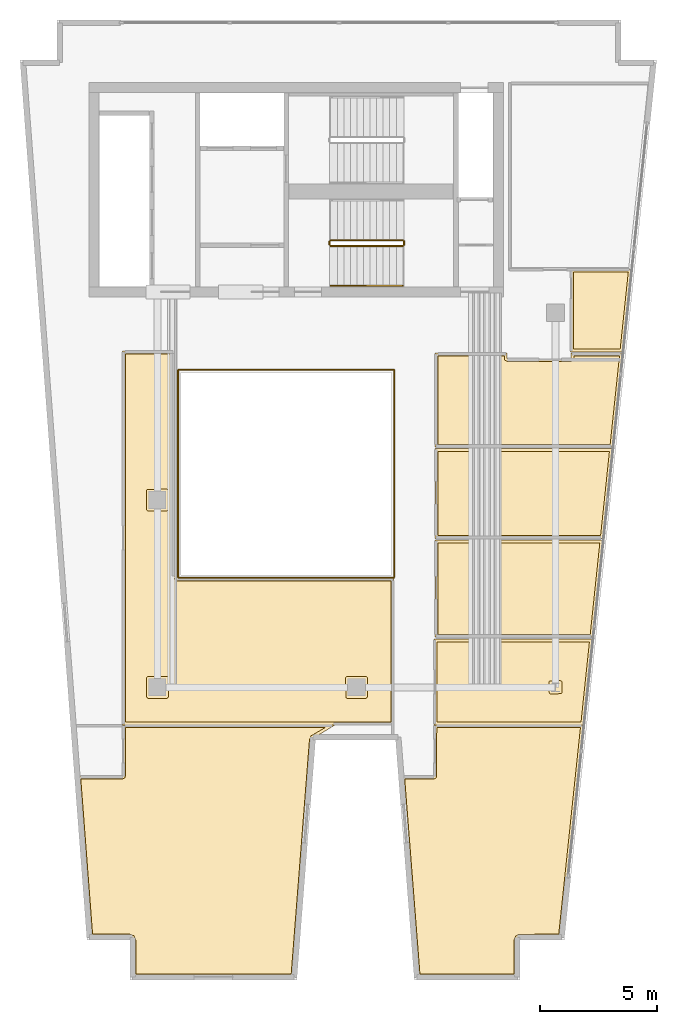
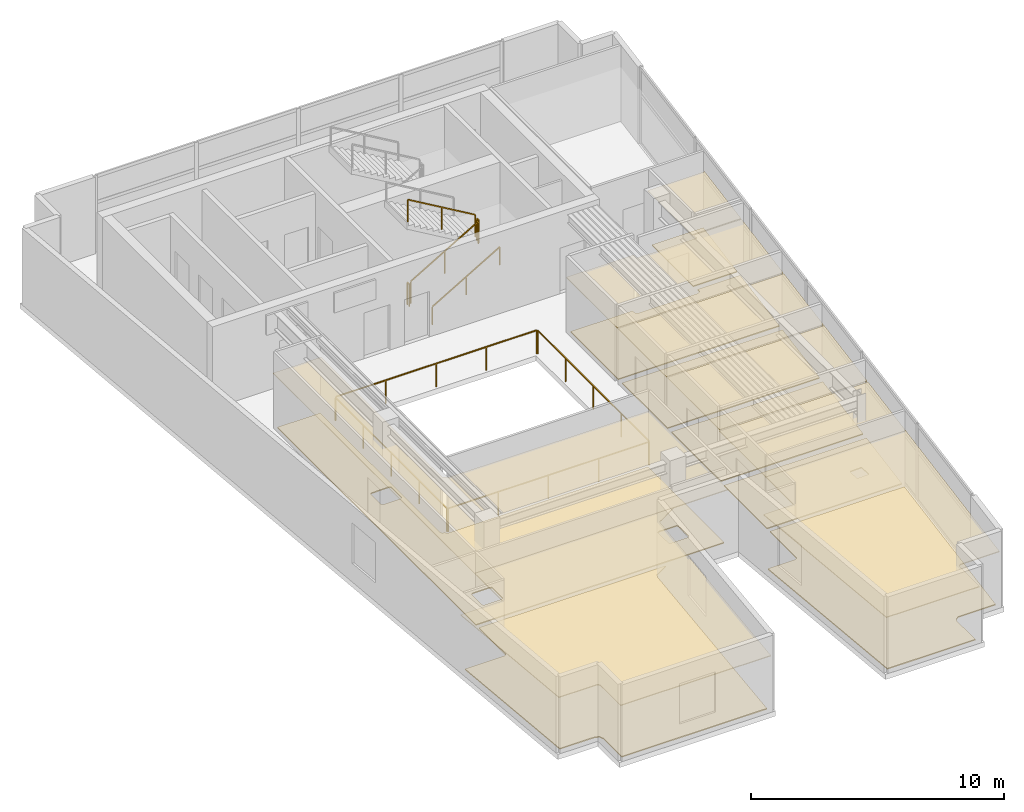
# One storey, part 5 of 6: 16 coverings, 9 railings.
"""IFC4 building model written with IfcOpenShell, lengths in metres."""

from ifc_helpers import new_model, si_unit, direction, frame, origin, origin_2d, place, context, subcontext, project, spatial, polyline, rectangle, outline, extrude, material, layer, layer_set, type_object, element, save


model = new_model("IFC4")

# Units and contexts
model_context = context("Model", 3, precision=1e-05, world=origin(), true_north=direction((0.0, 1.0)))
body_context = subcontext(model_context, "Body", "Model", "MODEL_VIEW")
ifc_project = project(units=[si_unit("LENGTHUNIT", "METRE"), si_unit("AREAUNIT", "SQUARE_METRE"), si_unit("VOLUMEUNIT", "CUBIC_METRE"), si_unit("PLANEANGLEUNIT", "RADIAN"), si_unit("MASSUNIT", "GRAM", prefix="KILO")], contexts=[model_context])

# Site, building, storey
site_placement = place(None, origin())
site = spatial("IfcSite", under=ifc_project, at=site_placement, CompositionType="ELEMENT")
building_placement = place(site_placement, origin())
building = spatial("IfcBuilding", under=site, at=building_placement, Name="Caeloran Harvest Quay", CompositionType="ELEMENT")
storey_placement = place(building_placement, frame((0.0, 0.0, 284.35009765625)))
storey = spatial("IfcBuildingStorey", under=building, at=storey_placement, Name="L68", CompositionType="ELEMENT", Elevation=284.35009765625)

# Coverings
ifc_material_1 = material(Name="Perforated Mineral-Fibre Acoustic Ceiling Tile", Category="ceiling")
ifc_layer_1 = layer(ifc_material_1, 0.0400390625, Name="Perforated Mineral-Fibre Acoustic Ceiling Tile")
ifc_layer_set_1 = layer_set([ifc_layer_1], Name="Perforated Mineral-Fibre Acoustic Ceiling Tile")
covering_type_1 = type_object("IfcCoveringType", Name="COV-CEILING-ACOUSTIC", PredefinedType="CEILING", material=ifc_layer_set_1)
covering_1_placement = place(storey_placement, frame((0.0, 0.0, 2.599853515625)))
element("IfcCovering", 1, at=covering_1_placement, inside=storey, type_object=covering_type_1, Name="L68 Male Washroom WC Acoustic Ceiling", PredefinedType="CEILING", context=body_context, shape_type="SweptSolid", body=[
    extrude(outline(polyline([(23.429931640625, 29.280029296875), (23.43017578125, 29.048095703125), (23.450927734375, 29.030029296875), (26.152099609375, 29.030029296875), (26.169921875, 29.048095703125), (26.169921875, 29.280029296875), (28.365478515625, 29.280029296875), (27.943359375, 25.260009765625), (20.360107421875, 25.260009765625), (20.360107421875, 29.280029296875), (23.429931640625, 29.280029296875)])), origin(), (0.0, 0.0, 1.0), 0.0400390625),
])
covering_2_placement = place(storey_placement, frame((0.0, 0.0, 2.599853515625)))
element("IfcCovering", 2, at=covering_2_placement, inside=storey, type_object=covering_type_1, Name="L68 Female Washroom WC Acoustic Ceiling", PredefinedType="CEILING", context=body_context, shape_type="SweptSolid", body=[
    extrude(outline(polyline([(27.93603515625, 25.18994140625), (27.53369140625, 21.360107421875), (20.360107421875, 21.360107421875), (20.360107421875, 25.18994140625), (27.93603515625, 25.18994140625)])), origin(), (0.0, 0.0, 1.0), 0.0400390625),
])
covering_3_placement = place(storey_placement, frame((0.0, 0.0, 2.599853515625)))
element("IfcCovering", 3, at=covering_3_placement, inside=storey, type_object=covering_type_1, Name="L68 Accessible Unisex Washroom WC Acoustic Ceiling", PredefinedType="CEILING", context=body_context, shape_type="SweptSolid", body=[
    extrude(outline(polyline([(27.5263671875, 21.2900390625), (27.090576171875, 17.139892578125), (20.360107421875, 17.139892578125), (20.360107421875, 21.2900390625), (27.5263671875, 21.2900390625)])), origin(), (0.0, 0.0, 1.0), 0.0400390625),
])
covering_4_placement = place(storey_placement, frame((0.0, 0.0, 2.599853515625)))
element("IfcCovering", 4, at=covering_4_placement, inside=storey, type_object=covering_type_1, Name="Executive Sky-Floor Office Acoustic Ceiling", PredefinedType="CEILING", context=body_context, shape_type="SweptSolid", body=[
    extrude(outline(polyline([(7.010009765625, 11.2099609375), (7.010009765625, 13.39990234375), (16.09521484375, 13.39990234375), (15.251708984375, 12.889892578125), (15.1728515625, 12.86572265625), (15.134033203125, 12.826171875), (15.11376953125, 12.774658203125), (14.322021484375, 2.639892578125), (7.45849609375, 2.639892578125), (7.45849609375, 4.198974609375), (7.44775390625, 4.253662109375), (7.41748046875, 4.299072265625), (7.3720703125, 4.329345703125), (7.3173828125, 4.340087890625), (5.618896484375, 4.340087890625), (5.096435546875, 11.2099609375), (7.010009765625, 11.2099609375)])), origin(), (0.0, 0.0, 1.0), 0.0400390625),
])
covering_5_placement = place(storey_placement, frame((0.0, 0.0, 2.599853515625)))
element("IfcCovering", 5, at=covering_5_placement, inside=storey, type_object=covering_type_1, Name="Strategic Foresight Laboratory Acoustic Ceiling", PredefinedType="CEILING", context=body_context, shape_type="SweptSolid", body=[
    extrude(outline(polyline([(20.31005859375, 11.2099609375), (20.31005859375, 13.39990234375), (26.697509765625, 13.39990234375), (25.74609375, 4.340087890625), (23.994384765625, 4.340087890625), (23.90478515625, 4.30810546875), (23.8642578125, 4.253662109375), (23.853515625, 4.198974609375), (23.853515625, 2.639892578125), (19.599853515625, 2.639892578125), (18.930908203125, 11.2099609375), (20.31005859375, 11.2099609375)])), origin(), (0.0, 0.0, 1.0), 0.0400390625),
])
covering_6_placement = place(storey_placement, frame((0.0, 0.0, 2.599853515625)))
element("IfcCovering", 6, at=covering_6_placement, inside=storey, type_object=covering_type_1, Name="Chairman Corner Office Acoustic Ceiling", PredefinedType="CEILING", context=body_context, shape_type="SweptSolid", body=[
    extrude(outline(polyline([(20.31005859375, 17.06005859375), (27.08203125, 17.06005859375), (26.697509765625, 13.39990234375), (20.31005859375, 13.39990234375), (20.31005859375, 17.06005859375)])), origin(), (0.0, 0.0, 1.0), 0.0400390625),
])
covering_7_placement = place(storey_placement, frame((0.0, 0.0, 2.599853515625)))
element("IfcCovering", 7, at=covering_7_placement, inside=storey, type_object=covering_type_1, Name="Managing Principal Office Acoustic Ceiling", PredefinedType="CEILING", context=body_context, shape_type="SweptSolid", body=[
    extrude(outline(polyline([(9.310791015625, 19.753173828125), (9.360107421875, 19.68701171875), (9.360107421875, 19.659912109375), (18.590087890625, 19.659912109375), (18.590087890625, 13.39990234375), (7.010009765625, 13.39990234375), (7.010009765625, 29.360107421875), (9.2099609375, 29.360107421875), (9.2099609375, 19.760009765625), (9.310791015625, 19.753173828125)])), origin(), (0.0, 0.0, 1.0), 0.0400390625),
])
covering_8_placement = place(storey_placement, frame((0.0, 0.0, 2.599853515625)))
element("IfcCovering", 8, at=covering_8_placement, inside=storey, type_object=covering_type_1, Name="Executive Sky-Floor Office 5 Acoustic Ceiling", PredefinedType="CEILING", context=body_context, shape_type="SweptSolid", body=[
    extrude(outline(polyline([(26.139892578125, 32.798095703125), (26.12158203125, 32.85009765625), (28.740478515625, 32.85009765625), (28.370849609375, 29.330078125), (26.139892578125, 29.330078125), (26.139892578125, 32.798095703125)])), origin(), (0.0, 0.0, 1.0), 0.0400390625),
])
ifc_material_2 = material(Name="Calcium-Sulphate Raised Access Floor and Terrazzo Finish", Category="flooring")
ifc_layer_2 = layer(ifc_material_2, 0.050048828125, Name="Calcium-Sulphate Raised Access Floor and Terrazzo Finish")
ifc_layer_set_2 = layer_set([ifc_layer_2], Name="Calcium-Sulphate Raised Access Floor and Terrazzo Finish")
covering_type_2 = type_object("IfcCoveringType", Name="COV-FLOOR-RAISED", PredefinedType="FLOORING", material=ifc_layer_set_2)
covering_9_placement = place(storey_placement, origin())
element("IfcCovering", 9, at=covering_9_placement, inside=storey, type_object=covering_type_2, Name="L68 Male Washroom WC Raised Finish Flooring", PredefinedType="FLOORING", context=body_context, shape_type="SweptSolid", body=[
    extrude(outline(polyline([(23.31005859375, 29.159912109375), (23.32861328125, 28.980712890625), (23.449951171875, 28.909912109375), (26.159912109375, 28.910400390625), (26.275146484375, 28.987548828125), (26.2900390625, 29.159912109375), (28.232421875, 29.159912109375), (27.835205078125, 25.3798828125), (20.47998046875, 25.3798828125), (20.47998046875, 29.159912109375), (23.31005859375, 29.159912109375)])), origin(), (0.0, 0.0, 1.0), 0.0498046875),
])
covering_10_placement = place(storey_placement, origin())
element("IfcCovering", 10, at=covering_10_placement, inside=storey, type_object=covering_type_2, Name="L68 Female Washroom WC Raised Finish Flooring", PredefinedType="FLOORING", context=body_context, shape_type="SweptSolid", body=[
    extrude(outline(polyline([(27.802734375, 25.070068359375), (27.42578125, 21.47998046875), (20.47998046875, 21.47998046875), (20.47998046875, 25.070068359375), (27.802734375, 25.070068359375)])), origin(), (0.0, 0.0, 1.0), 0.0498046875),
])
covering_11_placement = place(storey_placement, origin())
element("IfcCovering", 11, at=covering_11_placement, inside=storey, type_object=covering_type_2, Name="L68 Accessible Unisex Washroom WC Raised Finish Flooring", PredefinedType="FLOORING", context=body_context, shape_type="SweptSolid", body=[
    extrude(outline(polyline([(27.39306640625, 21.169921875), (26.982421875, 17.260009765625), (20.47998046875, 17.260009765625), (20.47998046875, 21.169921875), (27.39306640625, 21.169921875)])), origin(), (0.0, 0.0, 1.0), 0.0498046875),
])
covering_12_placement = place(storey_placement, origin())
element("IfcCovering", 12, at=covering_12_placement, inside=storey, type_object=covering_type_2, Name="Executive Sky-Floor Office Raised Finish Flooring", PredefinedType="FLOORING", context=body_context, shape_type="SweptSolid", body=[
    extrude(outline(polyline([(15.664794921875, 13.280029296875), (15.06298828125, 12.928955078125), (14.9921875, 12.770263671875), (14.2109375, 2.760009765625), (7.57861328125, 2.760009765625), (7.578369140625, 4.203857421875), (7.49951171875, 4.38671875), (7.322509765625, 4.4599609375), (5.730224609375, 4.4599609375), (5.225830078125, 11.090087890625), (7.02001953125, 11.090087890625), (7.1025390625, 11.127197265625), (7.1298828125, 11.199951171875), (7.1298828125, 13.280029296875), (15.664794921875, 13.280029296875)])), origin(), (0.0, 0.0, 1.0), 0.0498046875),
])
covering_13_placement = place(storey_placement, origin())
element("IfcCovering", 13, at=covering_13_placement, inside=storey, type_object=covering_type_2, Name="Strategic Foresight Laboratory Raised Finish Flooring", PredefinedType="FLOORING", context=body_context, shape_type="SweptSolid", body=[
    extrude(outline(polyline([(23.921875, 4.449951171875), (23.795166015625, 4.367919921875), (23.735107421875, 4.2294921875), (23.7333984375, 2.760009765625), (19.710693359375, 2.760009765625), (19.060546875, 11.090087890625), (20.323974609375, 11.090087890625), (20.41357421875, 11.14208984375), (20.429931640625, 13.280029296875), (26.564453125, 13.280029296875), (25.637939453125, 4.4599609375), (23.921875, 4.449951171875)])), origin(), (0.0, 0.0, 1.0), 0.0498046875),
])
covering_14_placement = place(storey_placement, origin())
element("IfcCovering", 14, at=covering_14_placement, inside=storey, type_object=covering_type_2, Name="Chairman Corner Office Raised Finish Flooring", PredefinedType="FLOORING", context=body_context, shape_type="SweptSolid", body=[
    extrude(outline(polyline([(20.429931640625, 13.52001953125), (20.429931640625, 16.93994140625), (26.94873046875, 16.93994140625), (26.589599609375, 13.52001953125), (20.429931640625, 13.52001953125)]), holes=[polyline([(25.21630859375, 15.21630859375), (25.234130859375, 14.74072265625), (25.2880859375, 14.7119140625), (25.7548828125, 14.729736328125), (25.783935546875, 14.79150390625), (25.765869140625, 15.25927734375), (25.7041015625, 15.28857421875), (25.2451171875, 15.270263671875), (25.21630859375, 15.21630859375)])]), origin(), (0.0, 0.0, 1.0), 0.0498046875),
])
covering_15_placement = place(storey_placement, origin())
element("IfcCovering", 15, at=covering_15_placement, inside=storey, type_object=covering_type_2, Name="Managing Principal Office Raised Finish Flooring", PredefinedType="FLOORING", context=body_context, shape_type="SweptSolid", body=[
    extrude(outline(polyline([(9.240478515625, 19.639892578125), (9.275146484375, 19.569580078125), (9.35009765625, 19.5400390625), (18.469970703125, 19.5400390625), (18.469970703125, 13.52001953125), (7.1298828125, 13.52001953125), (7.1298828125, 29.239990234375), (9.090087890625, 29.239990234375), (9.090087890625, 19.75), (9.1357421875, 19.660888671875), (9.240478515625, 19.639892578125)]), holes=[polyline([(16.530029296875, 15.389892578125), (16.548095703125, 14.55908203125), (16.602294921875, 14.530517578125), (17.389892578125, 14.530029296875), (17.446533203125, 14.553466796875), (17.469970703125, 14.610107421875), (17.469970703125, 15.389892578125), (17.446533203125, 15.446533203125), (17.389892578125, 15.469970703125), (16.610107421875, 15.469970703125), (16.553466796875, 15.446533203125), (16.530029296875, 15.389892578125)]), polyline([(8.030029296875, 14.610107421875), (8.053466796875, 14.553466796875), (8.102294921875, 14.530517578125), (8.889892578125, 14.530029296875), (8.946533203125, 14.553466796875), (8.969970703125, 14.610107421875), (8.969970703125, 15.389892578125), (8.946533203125, 15.446533203125), (8.889892578125, 15.469970703125), (8.110107421875, 15.469970703125), (8.053466796875, 15.446533203125), (8.030029296875, 15.389892578125), (8.030029296875, 14.610107421875)]), polyline([(8.889892578125, 23.469970703125), (8.05908203125, 23.451904296875), (8.030517578125, 23.397705078125), (8.030029296875, 22.610107421875), (8.053466796875, 22.553466796875), (8.110107421875, 22.530029296875), (8.889892578125, 22.530029296875), (8.946533203125, 22.553466796875), (8.969970703125, 22.610107421875), (8.969970703125, 23.389892578125), (8.946533203125, 23.446533203125), (8.889892578125, 23.469970703125)])]), origin(), (0.0, 0.0, 1.0), 0.0498046875),
])
covering_16_placement = place(storey_placement, origin())
element("IfcCovering", 16, at=covering_16_placement, inside=storey, type_object=covering_type_2, Name="Executive Sky-Floor Office 5 Raised Finish Flooring", PredefinedType="FLOORING", context=body_context, shape_type="SweptSolid", body=[
    extrude(outline(polyline([(26.260009765625, 32.72998046875), (28.607421875, 32.72998046875), (28.2626953125, 29.449951171875), (26.260009765625, 29.449951171875), (26.260009765625, 32.72998046875)])), origin(), (0.0, 0.0, 1.0), 0.0498046875),
])

# Railings
ifc_material_3 = material(Name="Powder-Coated Steel Post and Laminated Glass Guardrail", Category="steel")
ifc_layer_3 = layer(ifc_material_3, 0.06005859375, Name="Powder-Coated Steel Post and Laminated Glass Guardrail")
ifc_layer_set_3 = layer_set([ifc_layer_3], Name="Powder-Coated Steel Post and Laminated Glass Guardrail")
railing_type_1 = type_object("IfcRailingType", Name="GUARD-ATRIUM-1150", PredefinedType="GUARDRAIL", material=ifc_layer_set_3)
railing_1_placement = place(storey_placement, frame((9.412109375, 19.679931640625, 0.0)))
element("IfcRailing", 17, at=railing_1_placement, inside=storey, type_object=railing_type_1, Name="L68 Skylit Atrium Void Perimeter Guardrail Seg 1", PredefinedType="GUARDRAIL", context=body_context, shape_type="SweptSolid", body=[
    extrude(rectangle(XDim=0.048095703125, YDim=0.048095703125, at=origin_2d()), frame((0.0, 0.0, 1.1259765625), z_axis=(1.0, 0.0, 0.0), x_axis=(0.0, 1.0, 0.0)), (0.0, 0.0, 1.0), 9.17578125),
    extrude(rectangle(XDim=0.0419921875, YDim=0.0419921875, at=origin_2d()), origin(), (0.0, 0.0, 1.0), 1.101806640625),
    extrude(rectangle(XDim=0.0419921875, YDim=0.0419921875, at=origin_2d()), frame((2.2939453125, 0.0, 0.0)), (0.0, 0.0, 1.0), 1.101806640625),
    extrude(rectangle(XDim=0.0419921875, YDim=0.0419921875, at=origin_2d()), frame((4.587890625, 0.0, 0.0)), (0.0, 0.0, 1.0), 1.101806640625),
    extrude(rectangle(XDim=0.0419921875, YDim=0.0419921875, at=origin_2d()), frame((6.8818359375, 0.0, 0.0)), (0.0, 0.0, 1.0), 1.101806640625),
    extrude(rectangle(XDim=0.0419921875, YDim=0.0419921875, at=origin_2d()), frame((9.17578125, 0.0, 0.0)), (0.0, 0.0, 1.0), 1.101806640625),
])
railing_2_placement = place(storey_placement, frame((18.6201171875, 19.7119140625, 0.0)))
element("IfcRailing", 18, at=railing_2_placement, inside=storey, type_object=railing_type_1, Name="L68 Skylit Atrium Void Perimeter Guardrail Seg 2", PredefinedType="GUARDRAIL", context=body_context, shape_type="SweptSolid", body=[
    extrude(rectangle(XDim=0.048095703125, YDim=0.048095703125, at=origin_2d()), frame((0.0, 0.0, 1.1259765625), z_axis=(0.0, 1.0, 0.0), x_axis=(-1.0, 0.0, 0.0)), (0.0, 0.0, 1.0), 8.826171875),
    extrude(rectangle(XDim=0.0419921875, YDim=0.0419921875, at=origin_2d()), origin(), (0.0, 0.0, 1.0), 1.101806640625),
    extrude(rectangle(XDim=0.0419921875, YDim=0.0419921875, at=origin_2d()), frame((0.0, 2.20654296875, 0.0)), (0.0, 0.0, 1.0), 1.101806640625),
    extrude(rectangle(XDim=0.0419921875, YDim=0.0419921875, at=origin_2d()), frame((0.0, 4.4130859375, 0.0)), (0.0, 0.0, 1.0), 1.101806640625),
    extrude(rectangle(XDim=0.0419921875, YDim=0.0419921875, at=origin_2d()), frame((0.0, 6.61962890625, 0.0)), (0.0, 0.0, 1.0), 1.101806640625),
    extrude(rectangle(XDim=0.0419921875, YDim=0.0419921875, at=origin_2d()), frame((0.0, 8.826171875, 0.0)), (0.0, 0.0, 1.0), 1.101806640625),
])
railing_3_placement = place(storey_placement, frame((18.587890625, 28.570068359375, 0.0)))
element("IfcRailing", 19, at=railing_3_placement, inside=storey, type_object=railing_type_1, Name="L68 Skylit Atrium Void Perimeter Guardrail Seg 3", PredefinedType="GUARDRAIL", context=body_context, shape_type="SweptSolid", body=[
    extrude(rectangle(XDim=0.048095703125, YDim=0.048095703125, at=origin_2d()), frame((0.0, 0.0, 1.1259765625), z_axis=(-1.0, 0.0, 0.0), x_axis=(0.0, -1.0, 0.0)), (0.0, 0.0, 1.0), 9.17578125),
    extrude(rectangle(XDim=0.0419921875, YDim=0.0419921875, at=origin_2d()), origin(), (0.0, 0.0, 1.0), 1.101806640625),
    extrude(rectangle(XDim=0.0419921875, YDim=0.0419921875, at=origin_2d()), frame((-2.2939453125, 0.0, 0.0)), (0.0, 0.0, 1.0), 1.101806640625),
    extrude(rectangle(XDim=0.0419921875, YDim=0.0419921875, at=origin_2d()), frame((-4.587890625, 0.0, 0.0)), (0.0, 0.0, 1.0), 1.101806640625),
    extrude(rectangle(XDim=0.0419921875, YDim=0.0419921875, at=origin_2d()), frame((-6.8818359375, 0.0, 0.0)), (0.0, 0.0, 1.0), 1.101806640625),
    extrude(rectangle(XDim=0.0419921875, YDim=0.0419921875, at=origin_2d()), frame((-9.17578125, 0.0, 0.0)), (0.0, 0.0, 1.0), 1.101806640625),
])
railing_4_placement = place(storey_placement, frame((9.3798828125, 28.5380859375, 0.0)))
element("IfcRailing", 20, at=railing_4_placement, inside=storey, type_object=railing_type_1, Name="L68 Skylit Atrium Void Perimeter Guardrail Seg 4", PredefinedType="GUARDRAIL", context=body_context, shape_type="SweptSolid", body=[
    extrude(rectangle(XDim=0.048095703125, YDim=0.048095703125, at=origin_2d()), frame((0.0, 0.0, 1.1259765625), z_axis=(0.0, -1.0, 0.0), x_axis=(1.0, 0.0, 0.0)), (0.0, 0.0, 1.0), 8.826171875),
    extrude(rectangle(XDim=0.0419921875, YDim=0.0419921875, at=origin_2d()), origin(), (0.0, 0.0, 1.0), 1.101806640625),
    extrude(rectangle(XDim=0.0419921875, YDim=0.0419921875, at=origin_2d()), frame((0.0, -2.20654296875, 0.0)), (0.0, 0.0, 1.0), 1.101806640625),
    extrude(rectangle(XDim=0.0419921875, YDim=0.0419921875, at=origin_2d()), frame((0.0, -4.4130859375, 0.0)), (0.0, 0.0, 1.0), 1.101806640625),
    extrude(rectangle(XDim=0.0419921875, YDim=0.0419921875, at=origin_2d()), frame((0.0, -6.61962890625, 0.0)), (0.0, 0.0, 1.0), 1.101806640625),
    extrude(rectangle(XDim=0.0419921875, YDim=0.0419921875, at=origin_2d()), frame((0.0, -8.826171875, 0.0)), (0.0, 0.0, 1.0), 1.101806640625),
])
ifc_material_4 = material(Name="Painted Steel Baluster and Top-Rail Stair Guard", Category="steel")
ifc_layer_4 = layer(ifc_material_4, 0.050048828125, Name="Painted Steel Baluster and Top-Rail Stair Guard")
ifc_layer_set_4 = layer_set([ifc_layer_4], Name="Painted Steel Baluster and Top-Rail Stair Guard")
railing_type_2 = type_object("IfcRailingType", Name="STAIR-GUARD-1100", PredefinedType="GUARDRAIL", material=ifc_layer_set_4)
railing_5_placement = place(storey_placement, frame((15.89990234375, 33.85009765625, 0.16455078125)))
element("IfcRailing", 21, at=railing_5_placement, inside=storey, type_object=railing_type_2, Name="L68 ST-C2 stair guard 1", PredefinedType="GUARDRAIL", context=body_context, shape_type="SweptSolid", body=[
    extrude(rectangle(XDim=0.048095703125, YDim=0.048095703125, at=origin_2d()), frame((0.0, 0.0, 1.076171875), z_axis=(0.862118610829, 0.0, 0.506706523406), x_axis=(0.0, 1.0, 0.0)), (0.0, 0.0, 1.0), 3.57275390625),
    extrude(rectangle(XDim=0.0419921875, YDim=0.0419921875, at=origin_2d()), origin(), (0.0, 0.0, 1.0), 1.052001953125),
    extrude(rectangle(XDim=0.0419921875, YDim=0.0419921875, at=origin_2d()), frame((1.5400390625, 0.0, 0.9052734375)), (0.0, 0.0, 1.0), 1.052001953125),
    extrude(rectangle(XDim=0.0419921875, YDim=0.0419921875, at=origin_2d()), frame((3.080078125, 0.0, 1.810302734375)), (0.0, 0.0, 1.0), 1.052001953125),
])
railing_6_placement = place(storey_placement, frame((19.030029296875, 33.89990234375, 1.974853515625)))
element("IfcRailing", 22, at=railing_6_placement, inside=storey, type_object=railing_type_2, Name="L68 ST-C2 stair guard 2", PredefinedType="GUARDRAIL", context=body_context, shape_type="SweptSolid", body=[
    extrude(rectangle(XDim=0.048095703125, YDim=0.048095703125, at=origin_2d()), frame((0.0, 0.0, 1.076171875), z_axis=(0.0, 1.0, 0.0), x_axis=(-1.0, 0.0, 0.0)), (0.0, 0.0, 1.0), 0.150146484375),
    extrude(rectangle(XDim=0.0419921875, YDim=0.0419921875, at=origin_2d()), origin(), (0.0, 0.0, 1.0), 1.052001953125),
    extrude(rectangle(XDim=0.0419921875, YDim=0.0419921875, at=origin_2d()), frame((0.0, 0.150146484375, 0.0)), (0.0, 0.0, 1.0), 1.052001953125),
])
railing_7_placement = place(storey_placement, frame((18.97998046875, 34.10009765625, 2.139404296875)))
element("IfcRailing", 23, at=railing_7_placement, inside=storey, type_object=railing_type_2, Name="L68 ST-C2 stair guard 3", PredefinedType="GUARDRAIL", context=body_context, shape_type="SweptSolid", body=[
    extrude(rectangle(XDim=0.048095703125, YDim=0.048095703125, at=origin_2d()), frame((0.0, 0.0, 1.076171875), z_axis=(-0.862088758681, 0.0, 0.506757310905), x_axis=(0.0, -1.0, 0.0)), (0.0, 0.0, 1.0), 3.57275390625),
    extrude(rectangle(XDim=0.0419921875, YDim=0.0419921875, at=origin_2d()), origin(), (0.0, 0.0, 1.0), 1.052001953125),
    extrude(rectangle(XDim=0.0419921875, YDim=0.0419921875, at=origin_2d()), frame((-1.5400390625, 0.0, 0.9052734375)), (0.0, 0.0, 1.0), 1.052001953125),
    extrude(rectangle(XDim=0.0419921875, YDim=0.0419921875, at=origin_2d()), frame((-3.080078125, 0.0, 1.810546875)), (0.0, 0.0, 1.0), 1.052001953125),
])
railing_8_placement = place(storey_placement, frame((15.85009765625, 33.89990234375, 0.0)))
element("IfcRailing", 24, at=railing_8_placement, inside=storey, type_object=railing_type_2, Name="L68 ST-C2 stair guard 4", PredefinedType="GUARDRAIL", context=body_context, shape_type="SweptSolid", body=[
    extrude(rectangle(XDim=0.048095703125, YDim=0.048095703125, at=origin_2d()), frame((0.0, 0.0, 1.076171875), z_axis=(0.0, 1.0, 0.0), x_axis=(-1.0, 0.0, 0.0)), (0.0, 0.0, 1.0), 0.150146484375),
    extrude(rectangle(XDim=0.0419921875, YDim=0.0419921875, at=origin_2d()), origin(), (0.0, 0.0, 1.0), 1.052001953125),
    extrude(rectangle(XDim=0.0419921875, YDim=0.0419921875, at=origin_2d()), frame((0.0, 0.150146484375, 0.0)), (0.0, 0.0, 1.0), 1.052001953125),
])
ifc_material_5 = material(Name="Brushed Stainless Steel Grade 304", Category="steel")
ifc_layer_5 = layer(ifc_material_5, 0.050048828125, Name="Brushed Stainless Steel Grade 304")
ifc_layer_set_5 = layer_set([ifc_layer_5], Name="Brushed Stainless Steel Grade 304")
railing_type_3 = type_object("IfcRailingType", Name="STAIR-HANDRAIL-900", PredefinedType="HANDRAIL", material=ifc_layer_set_5)
railing_9_placement = place(storey_placement, frame((15.89990234375, 32.14990234375, 0.16455078125)))
element("IfcRailing", 25, at=railing_9_placement, inside=storey, type_object=railing_type_3, Name="L68 ST-C2 stair handrail 1", PredefinedType="HANDRAIL", context=body_context, shape_type="SweptSolid", body=[
    extrude(rectangle(XDim=0.048095703125, YDim=0.048095703125, at=origin_2d()), frame((0.0, 0.0, 0.8759765625), z_axis=(0.862118610829, 0.0, 0.506706523406), x_axis=(0.0, 1.0, 0.0)), (0.0, 0.0, 1.0), 3.57275390625),
    extrude(rectangle(XDim=0.0419921875, YDim=0.0419921875, at=origin_2d()), origin(), (0.0, 0.0, 1.0), 0.851806640625),
    extrude(rectangle(XDim=0.0419921875, YDim=0.0419921875, at=origin_2d()), frame((1.5400390625, 0.0, 0.9052734375)), (0.0, 0.0, 1.0), 0.851806640625),
    extrude(rectangle(XDim=0.0419921875, YDim=0.0419921875, at=origin_2d()), frame((3.080078125, 0.0, 1.810302734375)), (0.0, 0.0, 1.0), 0.851806640625),
])

save(model, "model.ifc")
